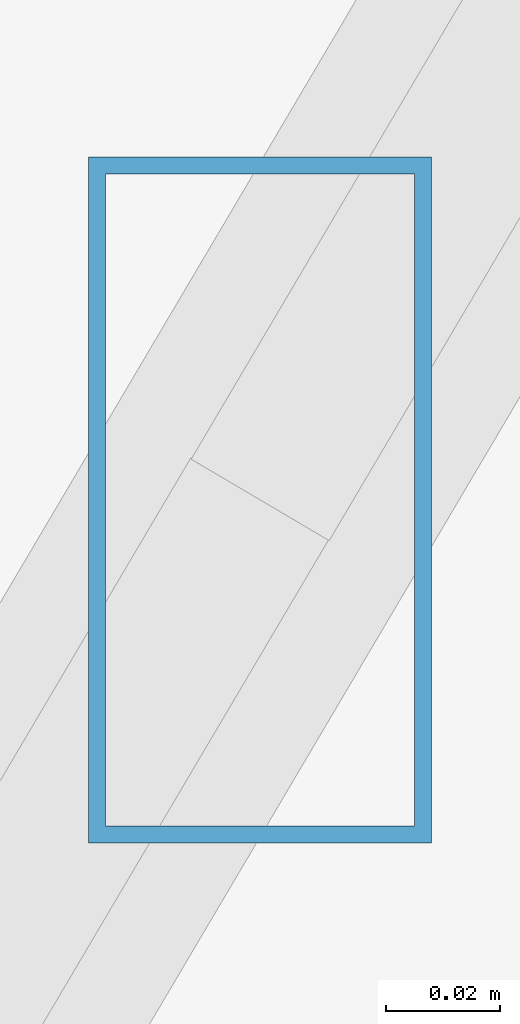
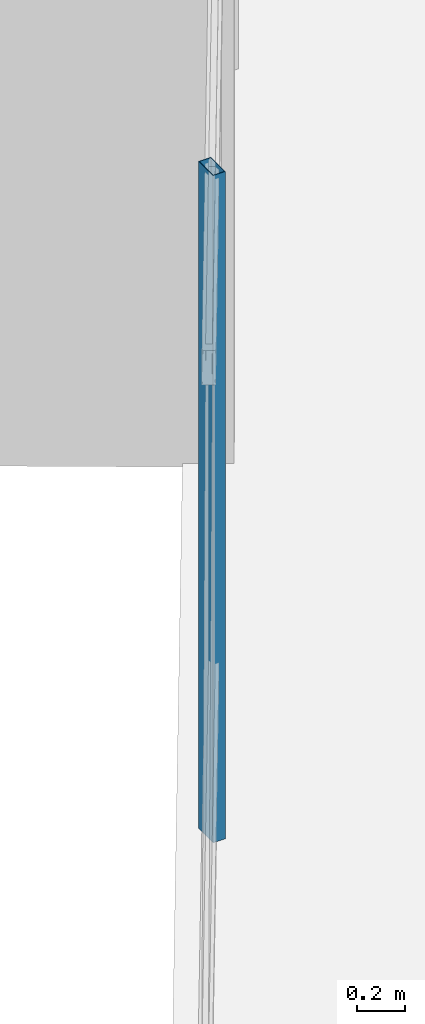
# One storey, part 7 of 44: 1 member, 1 element without a shape of its own.
"""IFC4 building model written with IfcOpenShell, lengths in metres."""

from ifc_helpers import new_model, si_unit, direction, frame, origin, origin_2d, place, context, subcontext, project, spatial, hollow_rectangle, extrude, source, transform, mapped, material, material_profile, profile_set, type_object, type_shapes, element, aggregate, save


model = new_model("IFC4")

# Units and contexts
model_context = context("Model", 3, precision=1e-05, world=origin(), true_north=direction((0.0, 1.0)))
body_context = subcontext(model_context, "Body", "Model", "MODEL_VIEW")
ifc_project = project(units=[si_unit("LENGTHUNIT", "METRE"), si_unit("AREAUNIT", "SQUARE_METRE"), si_unit("VOLUMEUNIT", "CUBIC_METRE"), si_unit("PLANEANGLEUNIT", "RADIAN"), si_unit("MASSUNIT", "GRAM", prefix="KILO")], contexts=[model_context])

# Site, building, storey
site_placement = place(None, origin())
site = spatial("IfcSite", under=ifc_project, at=site_placement, CompositionType="ELEMENT")
building_placement = place(site_placement, origin())
building = spatial("IfcBuilding", under=site, at=building_placement, Name="Caelisora Broadcast Tower", CompositionType="ELEMENT")
storey_placement = place(building_placement, frame((0.0, 0.0, 259.050048828125)))
storey = spatial("IfcBuildingStorey", under=building, at=storey_placement, Name="L68", CompositionType="ELEMENT", Elevation=259.050048828125)

# Curtain wall, member
ifc_material_1 = material(Name="Unitised Aluminium and Low-E Glass Curtain Wall", Category="glass")
curtain_wall_type = type_object("IfcCurtainWallType", Name="CW-Z5", PredefinedType="NOTDEFINED", material=ifc_material_1)
curtain_wall_placement = place(storey_placement, origin())
curtain_wall = element("IfcCurtainWall", 1, at=curtain_wall_placement, inside=storey, type_object=curtain_wall_type, Name="L68 curtain wall CW-Z5", PredefinedType="NOTDEFINED")
ifc_material_2 = material(Name="Aluminium 6063-T6 Anodised Terracotta Bronze", Category="aluminium")
ifc_material_profile = material_profile(ifc_material_2, hollow_rectangle(XDim=0.06005859375, YDim=0.1201171875, WallThickness=0.0029296875, at=origin_2d()), Name="Aluminium 6063-T6 Anodised Terracotta Bronze")
ifc_profile_set = profile_set([ifc_material_profile], Name="Aluminium 6063-T6 Anodised Terracotta Bronze")
member_type = type_object("IfcMemberType", Name="CWM-04", PredefinedType="MULLION", material=ifc_profile_set)
shared_shape = source(origin(), body_context, "Body", "SweptSolid", [
    extrude(hollow_rectangle(XDim=0.06005859375, YDim=0.1201171875, WallThickness=0.0029296875, at=origin_2d()), origin(), (0.0, 0.0, 1.0), 3.39990234375),
])
type_shapes(member_type, [shared_shape])
member_placement = place(storey_placement, frame((15.064208984375, 16.701904296875, 0.0), z_axis=(0.0, 0.0, 1.0), x_axis=(1.0, 0.0, 0.0)))
member = element("IfcMember", 2, at=member_placement, type_object=member_type, Name="L68-CW-B09 mullion #1", PredefinedType="MULLION", context=body_context, shape_type="MappedRepresentation", body=[
    mapped(shared_shape, transform((0.0, 0.0, 0.0), scale=1.0)),
])
aggregate(curtain_wall, [member])

save(model, "model.ifc")
